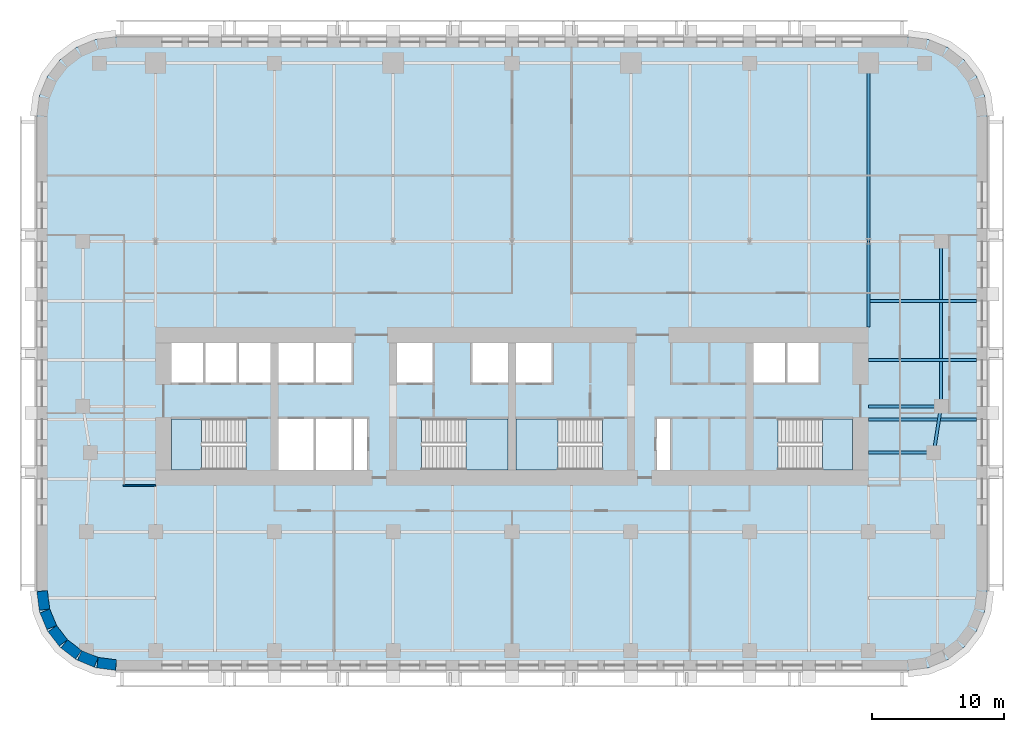
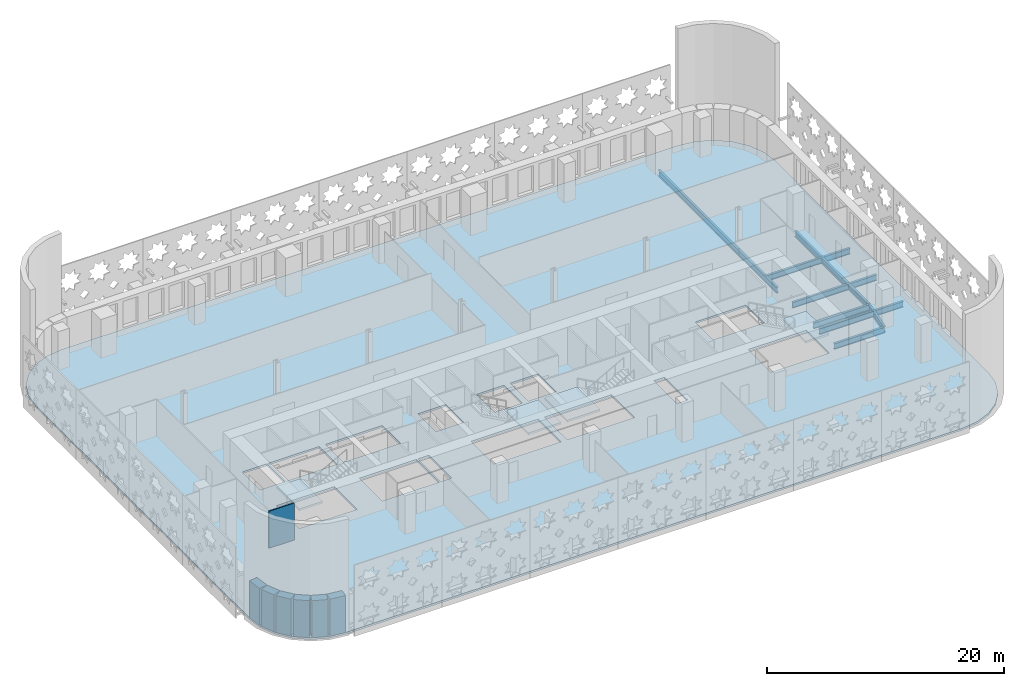
# One storey, part 2 of 15: 9 beams, 7 walls, 5 slabs, 4 elements without a shape of their own.
"""IFC4 building model written with IfcOpenShell, lengths in metres."""

from ifc_helpers import new_model, si_unit, direction, frame, frame_2d, origin, origin_2d, place, context, subcontext, project, spatial, polyline, rectangle, i_section, outline, extrude, material, layer, layer_set, material_profile, profile_set, type_object, element, aggregate, save


model = new_model("IFC4")

# Units and contexts
model_context = context("Model", 3, precision=1e-05, world=origin(), true_north=direction((0.0, 1.0)))
body_context = subcontext(model_context, "Body", "Model", "MODEL_VIEW")
ifc_project = project(units=[si_unit("LENGTHUNIT", "METRE"), si_unit("AREAUNIT", "SQUARE_METRE"), si_unit("VOLUMEUNIT", "CUBIC_METRE"), si_unit("PLANEANGLEUNIT", "RADIAN"), si_unit("MASSUNIT", "GRAM", prefix="KILO")], contexts=[model_context])

# Site, building, storey
site_placement = place(None, origin())
site = spatial("IfcSite", under=ifc_project, at=site_placement, CompositionType="ELEMENT")
building_placement = place(site_placement, origin())
building = spatial("IfcBuilding", under=site, at=building_placement, Name="Zellij Exchange Tower", CompositionType="ELEMENT")
storey_placement = place(building_placement, frame((0.0, 0.0, 76.5)))
storey = spatial("IfcBuildingStorey", under=building, at=storey_placement, Name="L15", CompositionType="ELEMENT", Elevation=76.5)

# Beams
ifc_material_1 = material(Name="Structural steel ASTM A992 Gr 50", Category="steel")
ifc_material_profile_1 = material_profile(ifc_material_1, i_section(OverallWidth=0.227783203125, OverallDepth=0.60205078125, WebThickness=0.010498046875, FlangeThickness=0.014892578125, at=origin_2d()), Name="W24x68")
ifc_profile_set_1 = profile_set([ifc_material_profile_1], Name="Structural steel ASTM A992 Gr 50")
beam_type_1 = type_object("IfcBeamType", Name="STR-BEAM W24x68", PredefinedType="BEAM", material=ifc_profile_set_1)
for number, where, z_axis, x_axis, name in (
    (1, (27.0, -9.0, -0.5009765625), (1.0, 0.0, 0.0), (0.0, 1.0, 0.0), "B5"),
    (2, (27.0, -4.5, -0.5009765625), (1.0, 0.0, 0.0), (0.0, 1.0, 0.0), "B5"),
    (3, (27.0, 0.0, -0.5009765625), (1.0, 0.0, 0.0), (0.0, 1.0, 0.0), "B5"),
):
    element("IfcBeam", number, at=place(storey_placement, frame(where, z_axis=z_axis, x_axis=x_axis)), inside=storey, type_object=beam_type_1, Name=name, PredefinedType="BEAM", context=body_context, shape_type="SweptSolid", body=[
        extrude(i_section(OverallWidth=0.227783203125, OverallDepth=0.60205078125, WebThickness=0.010498046875, FlangeThickness=0.014892578125, at=origin_2d()), origin(), (0.0, 0.0, 1.0), 8.199951171875),
    ])
ifc_material_profile_2 = material_profile(ifc_material_1, i_section(OverallWidth=0.22900390625, OverallDepth=0.612060546875, WebThickness=0.011962890625, FlangeThickness=0.01953125, at=origin_2d()), Name="W24x84")
ifc_profile_set_2 = profile_set([ifc_material_profile_2], Name="Structural steel ASTM A992 Gr 50")
beam_type_2 = type_object("IfcBeamType", Name="STR-EDGE GIRDER W24x84", PredefinedType="BEAM", material=ifc_profile_set_2)
beam_1_placement = place(storey_placement, frame((31.949951171875, -11.5, -0.506103515625), z_axis=(0.155251283593, 0.987875011802, 0.0), x_axis=(-0.987875011802, 0.155251283593, 0.0)))
element("IfcBeam", 4, at=beam_1_placement, inside=storey, type_object=beam_type_2, Name="EB6", PredefinedType="BEAM", context=body_context, shape_type="SweptSolid", body=[
    extrude(i_section(OverallWidth=0.22900390625, OverallDepth=0.612060546875, WebThickness=0.011962890625, FlangeThickness=0.01953125, at=origin_2d()), origin(), (0.0, 0.0, 1.0), 3.54296875),
])
beam_2_placement = place(storey_placement, frame((32.5, -8.0, -0.506103515625), z_axis=(0.0, 1.0, 0.0), x_axis=(-1.0, 0.0, 0.0)))
element("IfcBeam", 5, at=beam_2_placement, inside=storey, type_object=beam_type_2, Name="EB6", PredefinedType="BEAM", context=body_context, shape_type="SweptSolid", body=[
    extrude(i_section(OverallWidth=0.22900390625, OverallDepth=0.612060546875, WebThickness=0.011962890625, FlangeThickness=0.01953125, at=origin_2d()), origin(), (0.0, 0.0, 1.0), 12.5),
])
ifc_material_profile_3 = material_profile(ifc_material_1, i_section(OverallWidth=0.22900390625, OverallDepth=0.612060546875, WebThickness=0.011962890625, FlangeThickness=0.01953125, at=origin_2d()), Name="W24x84")
ifc_profile_set_3 = profile_set([ifc_material_profile_3], Name="Structural steel ASTM A992 Gr 50")
beam_type_3 = type_object("IfcBeamType", Name="STR-GIRDER W24x84", PredefinedType="BEAM", material=ifc_profile_set_3)
beam_3_placement = place(storey_placement, frame((27.0, -11.5, -0.506103515625), z_axis=(1.0, 0.0, 0.0), x_axis=(0.0, 1.0, 0.0)))
element("IfcBeam", 6, at=beam_3_placement, inside=storey, type_object=beam_type_3, Name="G4", PredefinedType="BEAM", context=body_context, shape_type="SweptSolid", body=[
    extrude(i_section(OverallWidth=0.22900390625, OverallDepth=0.612060546875, WebThickness=0.011962890625, FlangeThickness=0.01953125, at=origin_2d()), origin(), (0.0, 0.0, 1.0), 4.949951171875),
])
beam_4_placement = place(storey_placement, frame((27.0, -8.0, -0.506103515625), z_axis=(1.0, 0.0, 0.0), x_axis=(0.0, 1.0, 0.0)))
element("IfcBeam", 7, at=beam_4_placement, inside=storey, type_object=beam_type_3, Name="G4", PredefinedType="BEAM", context=body_context, shape_type="SweptSolid", body=[
    extrude(i_section(OverallWidth=0.22900390625, OverallDepth=0.612060546875, WebThickness=0.011962890625, FlangeThickness=0.01953125, at=origin_2d()), origin(), (0.0, 0.0, 1.0), 5.5),
])
beam_5_placement = place(storey_placement, frame((27.0, -2.0, -0.506103515625), z_axis=(0.0, 1.0, 0.0), x_axis=(-1.0, 0.0, 0.0)))
element("IfcBeam", 8, at=beam_5_placement, inside=storey, type_object=beam_type_3, Name="G4", PredefinedType="BEAM", context=body_context, shape_type="SweptSolid", body=[
    extrude(i_section(OverallWidth=0.22900390625, OverallDepth=0.612060546875, WebThickness=0.011962890625, FlangeThickness=0.01953125, at=origin_2d()), origin(), (0.0, 0.0, 1.0), 6.5),
])
beam_6_placement = place(storey_placement, frame((27.0, 4.5, -0.506103515625), z_axis=(0.0, 1.0, 0.0), x_axis=(-1.0, 0.0, 0.0)))
element("IfcBeam", 9, at=beam_6_placement, inside=storey, type_object=beam_type_3, Name="G4", PredefinedType="BEAM", context=body_context, shape_type="SweptSolid", body=[
    extrude(i_section(OverallWidth=0.22900390625, OverallDepth=0.612060546875, WebThickness=0.011962890625, FlangeThickness=0.01953125, at=origin_2d()), origin(), (0.0, 0.0, 1.0), 13.5),
])

# Stair, slab
ifc_material_2 = material(Name="Concrete C40/50", Category="concrete")
stair_type = type_object("IfcStairType", Name="CORE-ST exit stair 1850 wide", PredefinedType="HALF_TURN_STAIR", material=ifc_material_2)
stair_1_placement = place(storey_placement, origin())
stair_1 = element("IfcStair", 10, at=stair_1_placement, inside=storey, type_object=stair_type, Name="L15 exit stair ST1", PredefinedType="HALF_TURN_STAIR")
ifc_layer_1 = layer(ifc_material_2, 0.199951171875)
ifc_layer_set_1 = layer_set([ifc_layer_1], Name="Concrete C40/50")
slab_type_1 = type_object("IfcSlabType", Name="CORE-SL stair landing 200", PredefinedType="LANDING", material=ifc_layer_set_1)
slab_1_placement = place(storey_placement, frame((0.0, 0.0, 1.800048828125)))
slab_1 = element("IfcSlab", 11, at=slab_1_placement, type_object=slab_type_1, Name="ST1 landing 1", PredefinedType="LANDING", context=body_context, shape_type="SweptSolid", body=[
    extrude(outline(polyline([(-23.510009765625, -8.949951171875), (-25.800048828125, -8.949951171875), (-25.800048828125, -12.800048828125), (-23.510009765625, -12.800048828125), (-23.510009765625, -8.949951171875)])), origin(), (0.0, 0.0, 1.0), 0.199951171875),
])
aggregate(stair_1, [slab_1])

stair_2_placement = place(storey_placement, origin())
stair_2 = element("IfcStair", 12, at=stair_2_placement, inside=storey, type_object=stair_type, Name="L15 exit stair ST2", PredefinedType="HALF_TURN_STAIR")
slab_2_placement = place(storey_placement, frame((0.0, 0.0, 1.800048828125)))
slab_2 = element("IfcSlab", 13, at=slab_2_placement, type_object=slab_type_1, Name="ST2 landing 1", PredefinedType="LANDING", context=body_context, shape_type="SweptSolid", body=[
    extrude(outline(polyline([(-3.489990234375, -12.800048828125), (-0.300048828125, -12.800048828125), (-0.300048828125, -8.949951171875), (-3.489990234375, -8.949951171875), (-3.489990234375, -12.800048828125)])), origin(), (0.0, 0.0, 1.0), 0.199951171875),
])
aggregate(stair_2, [slab_2])

stair_3_placement = place(storey_placement, origin())
stair_3 = element("IfcStair", 14, at=stair_3_placement, inside=storey, type_object=stair_type, Name="L15 exit stair ST3", PredefinedType="HALF_TURN_STAIR")
slab_3_placement = place(storey_placement, frame((0.0, 0.0, 1.800048828125)))
slab_3 = element("IfcSlab", 15, at=slab_3_placement, type_object=slab_type_1, Name="ST3 landing 1", PredefinedType="LANDING", context=body_context, shape_type="SweptSolid", body=[
    extrude(outline(polyline([(3.489990234375, -8.949951171875), (0.300048828125, -8.949951171875), (0.300048828125, -12.800048828125), (3.489990234375, -12.800048828125), (3.489990234375, -8.949951171875)])), origin(), (0.0, 0.0, 1.0), 0.199951171875),
])
aggregate(stair_3, [slab_3])

stair_4_placement = place(storey_placement, origin())
stair_4 = element("IfcStair", 16, at=stair_4_placement, inside=storey, type_object=stair_type, Name="L15 exit stair ST4", PredefinedType="HALF_TURN_STAIR")
slab_4_placement = place(storey_placement, frame((0.0, 0.0, 1.800048828125)))
slab_4 = element("IfcSlab", 17, at=slab_4_placement, type_object=slab_type_1, Name="ST4 landing 1", PredefinedType="LANDING", context=body_context, shape_type="SweptSolid", body=[
    extrude(outline(polyline([(23.510009765625, -12.800048828125), (25.800048828125, -12.800048828125), (25.800048828125, -8.949951171875), (23.510009765625, -8.949951171875), (23.510009765625, -12.800048828125)])), origin(), (0.0, 0.0, 1.0), 0.199951171875),
])
aggregate(stair_4, [slab_4])

# Slab
ifc_layer_2 = layer(ifc_material_2, 0.199951171875)
ifc_layer_set_2 = layer_set([ifc_layer_2], Name="Concrete C40/50")
slab_type_2 = type_object("IfcSlabType", Name="STR-FLOOR SLAB 200 C40/50", PredefinedType="FLOOR", material=ifc_layer_set_2)
slab_5_placement = place(storey_placement, frame((0.0, 0.0, -0.2001953125)))
element("IfcSlab", 18, at=slab_5_placement, inside=storey, type_object=slab_type_2, Name="Floor L15", PredefinedType="FLOOR", context=body_context, shape_type="SweptSolid", body=[
    extrude(outline(polyline([(-30.0, -28.0), (-31.552978515625, -27.795654296875), (-33.0, -27.1962890625), (-34.24267578125, -26.24267578125), (-35.1962890625, -25.0), (-35.795654296875, -23.552978515625), (-36.0, -22.0), (-36.0, 14.0), (-35.795654296875, 15.552978515625), (-35.1962890625, 17.0), (-34.24267578125, 18.24267578125), (-33.0, 19.1962890625), (-31.552978515625, 19.795654296875), (-30.0, 20.0), (30.0, 20.0), (31.552978515625, 19.795654296875), (33.0, 19.1962890625), (34.24267578125, 18.24267578125), (35.1962890625, 17.0), (35.795654296875, 15.552978515625), (36.0, 14.0), (36.0, -22.0), (35.795654296875, -23.552978515625), (35.1962890625, -25.0), (34.24267578125, -26.24267578125), (33.0, -27.1962890625), (31.552978515625, -27.795654296875), (30.0, -28.0), (-30.0, -28.0)]), holes=[polyline([(-25.800048828125, -8.949951171875), (-25.800048828125, -12.800048828125), (-20.153076171875, -12.800048828125), (-20.153076171875, -8.949951171875), (-25.800048828125, -8.949951171875)]), polyline([(-12.14990234375, -8.949951171875), (-17.699951171875, -8.949951171875), (-17.699951171875, -12.800048828125), (-12.14990234375, -12.800048828125), (-12.14990234375, -8.949951171875)]), polyline([(-10.949951171875, -8.949951171875), (-12.0, -8.949951171875), (-12.0, -12.800048828125), (-10.949951171875, -12.800048828125), (-10.949951171875, -8.949951171875)]), polyline([(-23.39990234375, -3.199951171875), (-25.800048828125, -3.199951171875), (-25.800048828125, -6.22509765625), (-23.39990234375, -6.22509765625), (-23.39990234375, -3.199951171875)]), polyline([(-18.300048828125, -3.199951171875), (-23.25, -3.199951171875), (-23.25, -6.22509765625), (-18.300048828125, -6.22509765625), (-18.300048828125, -3.199951171875)]), polyline([(-12.14990234375, -3.199951171875), (-17.699951171875, -3.199951171875), (-17.699951171875, -6.22509765625), (-12.14990234375, -6.22509765625), (-12.14990234375, -3.199951171875)]), polyline([(-6.0, -3.199951171875), (-8.699951171875, -3.199951171875), (-8.699951171875, -6.22509765625), (-6.0, -6.22509765625), (-6.0, -3.199951171875)]), polyline([(-6.846923828125, -8.949951171875), (-6.846923828125, -12.800048828125), (-0.300048828125, -12.800048828125), (-0.300048828125, -8.949951171875), (-6.846923828125, -8.949951171875)]), polyline([(6.846923828125, -8.949951171875), (0.300048828125, -8.949951171875), (0.300048828125, -12.800048828125), (6.846923828125, -12.800048828125), (6.846923828125, -8.949951171875)]), polyline([(12.0, -8.949951171875), (10.949951171875, -8.949951171875), (10.949951171875, -12.800048828125), (12.0, -12.800048828125), (12.0, -8.949951171875)]), polyline([(25.800048828125, -8.949951171875), (20.153076171875, -8.949951171875), (20.153076171875, -12.800048828125), (25.800048828125, -12.800048828125), (25.800048828125, -8.949951171875)]), polyline([(-0.300048828125, -3.199951171875), (-3.0, -3.199951171875), (-3.0, -6.22509765625), (-0.300048828125, -6.22509765625), (-0.300048828125, -3.199951171875)]), polyline([(3.0, -3.199951171875), (0.300048828125, -3.199951171875), (0.300048828125, -6.22509765625), (3.0, -6.22509765625), (3.0, -3.199951171875)]), polyline([(23.25, -3.199951171875), (18.300048828125, -3.199951171875), (18.300048828125, -6.22509765625), (23.25, -6.22509765625), (23.25, -3.199951171875)])]), origin(), (0.0, 0.0, 1.0), 0.2001953125),
])

# Walls
ifc_material_3 = material(Name="Precast concrete C40/50", Category="concrete")
ifc_layer_3 = layer(ifc_material_3, 0.800048828125)
ifc_layer_set_3 = layer_set([ifc_layer_3], Name="Precast concrete C40/50")
wall_type_1 = type_object("IfcWallType", Name="ENV-EW1 Precast stone-piered wall 800", PredefinedType="SOLIDWALL", material=ifc_layer_set_3)
wall_1_placement = place(storey_placement, frame((-35.5966796875, -21.999755859375, 0.0), z_axis=(0.0, 0.0, 1.0), x_axis=(0.130517283865, -0.99144603414, 0.0)))
element("IfcWall", 19, at=wall_1_placement, inside=storey, type_object=wall_type_1, Name="fac.L15.22", PredefinedType="SOLIDWALL", context=body_context, shape_type="SweptSolid", body=[
    extrude(rectangle(XDim=1.408447265625, YDim=0.800048828125, at=frame_2d((0.7041015625, 0.0))), origin(), (0.0, 0.0, 1.0), 3.800048828125),
])
wall_2_placement = place(storey_placement, frame((-35.3857421875, -23.497314453125, 0.0), z_axis=(0.0, 0.0, 1.0), x_axis=(0.38276009378, -0.923847774587, 0.0)))
element("IfcWall", 20, at=wall_2_placement, inside=storey, type_object=wall_type_1, Name="fac.L15.23", PredefinedType="SOLIDWALL", context=body_context, shape_type="SweptSolid", body=[
    extrude(rectangle(XDim=1.35546875, YDim=0.800048828125, at=frame_2d((0.677734375, 0.0))), origin(), (0.0, 0.0, 1.0), 3.800048828125),
])
for number, where, z_axis, x_axis, name in (
    (21, (-34.814697265625, -24.840087890625, 0.0), (0.0, 0.0, 1.0), (0.608866226366, -0.793272915452, 0.0), "fac.L15.24"),
    (22, (-33.91552734375, -25.9892578125, 0.0), (0.0, 0.0, 1.0), (0.793272915452, -0.608866226366, 0.0), "fac.L15.25"),
):
    element("IfcWall", number, at=place(storey_placement, frame(where, z_axis=z_axis, x_axis=x_axis)), inside=storey, type_object=wall_type_1, Name=name, PredefinedType="SOLIDWALL", context=body_context, shape_type="SweptSolid", body=[
        extrude(rectangle(XDim=1.355712890625, YDim=0.800048828125, at=frame_2d((0.677734375, 0.0))), origin(), (0.0, 0.0, 1.0), 3.800048828125),
    ])
wall_3_placement = place(storey_placement, frame((-32.74951171875, -26.866943359375, 0.0), z_axis=(0.0, 0.0, 1.0), x_axis=(0.923847774587, -0.38276009378, 0.0)))
element("IfcWall", 23, at=wall_3_placement, inside=storey, type_object=wall_type_1, Name="fac.L15.26", PredefinedType="SOLIDWALL", context=body_context, shape_type="SweptSolid", body=[
    extrude(rectangle(XDim=1.35546875, YDim=0.800048828125, at=frame_2d((0.677734375, 0.0))), origin(), (0.0, 0.0, 1.0), 3.800048828125),
])
wall_4_placement = place(storey_placement, frame((-31.396240234375, -27.412841796875, 0.0), z_axis=(0.0, 0.0, 1.0), x_axis=(0.99144603414, -0.130517283865, 0.0)))
element("IfcWall", 24, at=wall_4_placement, inside=storey, type_object=wall_type_1, Name="fac.L15.27", PredefinedType="SOLIDWALL", context=body_context, shape_type="SweptSolid", body=[
    extrude(rectangle(XDim=1.408447265625, YDim=0.800048828125, at=frame_2d((0.7041015625, 0.0))), origin(), (0.0, 0.0, 1.0), 3.800048828125),
])
ifc_material_4 = material(Name="Gypsum board partition on steel studs", Category="steel")
ifc_layer_4 = layer(ifc_material_4, 0.10009765625)
ifc_layer_set_4 = layer_set([ifc_layer_4], Name="Gypsum board partition on steel studs")
wall_type_2 = type_object("IfcWallType", Name="FIT-PARTITION-100", PredefinedType="PARTITIONING", material=ifc_layer_set_4)
wall_5_placement = place(storey_placement, frame((-29.449951171875, -14.0, 0.0), z_axis=(0.0, 0.0, 1.0), x_axis=(1.0, 0.0, 0.0)))
element("IfcWall", 25, at=wall_5_placement, inside=storey, type_object=wall_type_2, Name="FIT-PARTITION-100 010", PredefinedType="PARTITIONING", context=body_context, shape_type="SweptSolid", body=[
    extrude(rectangle(XDim=2.449951171875, YDim=0.10009765625, at=frame_2d((1.22509765625, 0.0))), origin(), (0.0, 0.0, 1.0), 3.800048828125),
])

save(model, "model.ifc")
